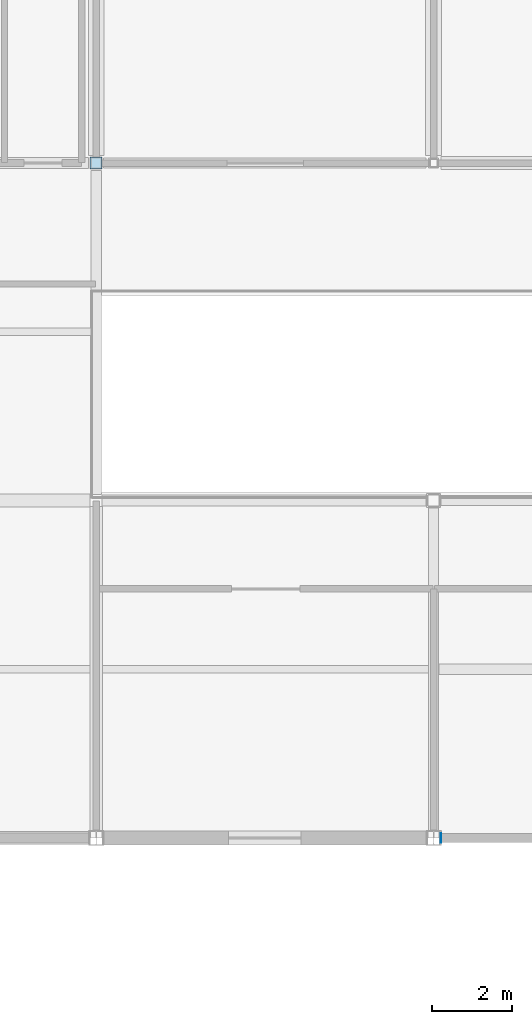
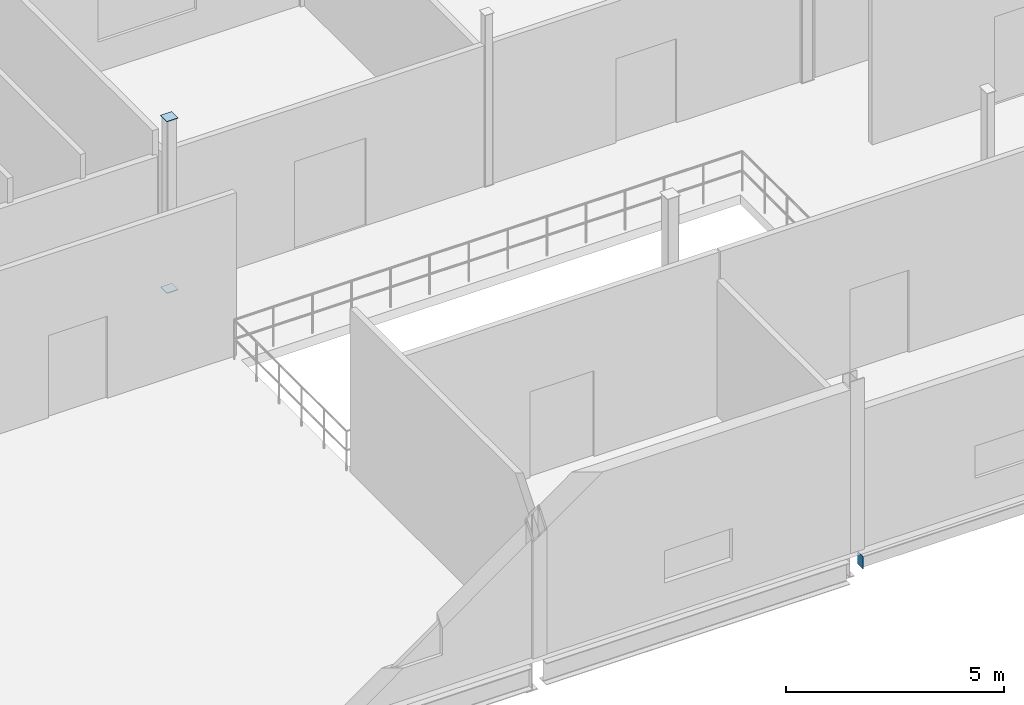
# One storey, part 21 of 45: 3 plates.
"""IFC4 building model written with IfcOpenShell, lengths in metres."""

import ifcopenshell
import ifcopenshell.guid

model = None  # the IFC model being written
_history = None  # IfcOwnerHistory: only IFC2X3 demands one
_inside = {}  # id of a spatial element -> (the spatial element, [elements in it])
_under = {}  # id of a project, library or spatial element -> (it, [spatial elements below it])
_declared = {}  # id of a project -> (the project, [libraries it declares])
_typed = {}  # id of a type object -> (the type object, [elements of that type])
_made_of = {}  # id of a material, layer set ... -> (it, [elements and type objects made of it])


def new_model(schema):
    """Start an empty IFC model of exactly this schema.

    Asked for "IFC4X3", IfcOpenShell would pick the latest addendum, in which some entities
    have other attributes; the version numbers below select the first issue.
    IFC2X3 requires an IfcOwnerHistory on every rooted entity: one is made here for all.
    """
    global model, _history
    if schema == "IFC4X3":
        model = ifcopenshell.file(schema_version=(4, 3, 0, 0))
    else:
        model = ifcopenshell.file(schema=schema)
    _inside.clear()
    _under.clear()
    _declared.clear()
    _typed.clear()
    _made_of.clear()
    _history = None
    if model.schema == "IFC2X3":
        org = make("IfcOrganization", Name="unknown")
        user = make(
            "IfcPersonAndOrganization",
            ThePerson=make("IfcPerson", FamilyName="unknown"),
            TheOrganization=org,
        )
        app = make(
            "IfcApplication",
            ApplicationDeveloper=org,
            Version="unknown",
            ApplicationFullName="unknown",
            ApplicationIdentifier="unknown",
        )
        _history = make(
            "IfcOwnerHistory",
            OwningUser=user,
            OwningApplication=app,
            ChangeAction="ADDED",
            CreationDate=0,
        )
    return model


def make(cls, **values):
    """One entity of the class cls with the attributes given. An attribute that is None is left unset."""
    return model.create_entity(
        cls, **{name: value for name, value in values.items() if value is not None}
    )


def rooted(cls, **values):
    """An entity with a GlobalId (a new one), such as an element, a storey or a relation."""
    return make(cls, GlobalId=ifcopenshell.guid.new(), OwnerHistory=_history, **values)


def si_unit(unit_type, name, prefix=None):
    """IfcSIUnit, for example si_unit("LENGTHUNIT", "METRE", prefix="MILLI")."""
    return make("IfcSIUnit", UnitType=unit_type, Prefix=prefix, Name=name)


def assignment(units):
    """IfcUnitAssignment: the units of a project."""
    return None if units is None else make("IfcUnitAssignment", Units=units)


def point(xyz):
    """IfcCartesianPoint."""
    return None if xyz is None else make("IfcCartesianPoint", Coordinates=xyz)


def direction(xyz):
    """IfcDirection."""
    return None if xyz is None else make("IfcDirection", DirectionRatios=xyz)


def frame(location, z_axis=None, x_axis=None):
    """IfcAxis2Placement3D, a coordinate frame: its origin and axes. An axis left out is left unset."""
    return make(
        "IfcAxis2Placement3D",
        Location=point(location),
        Axis=direction(z_axis),
        RefDirection=direction(x_axis),
    )


def frame_2d(location, x_axis=None):
    """IfcAxis2Placement2D, a coordinate frame in the plane: its origin and x axis."""
    return make(
        "IfcAxis2Placement2D", Location=point(location), RefDirection=direction(x_axis)
    )


def origin():
    """The frame at (0, 0, 0) with its axes left unset."""
    return frame((0.0, 0.0, 0.0))


def origin_2d():
    """The frame at (0, 0) in the plane with its x axis left unset."""
    return frame_2d((0.0, 0.0))


def place(relative_to, where):
    """IfcLocalPlacement: puts the frame where relative to a parent placement (None: the world)."""
    return make(
        "IfcLocalPlacement", PlacementRelTo=relative_to, RelativePlacement=where
    )


def context(
    kind, dimensions, precision=None, world=None, true_north=None, identifier=None
):
    """IfcGeometricRepresentationContext, for example the 3D "Model" context."""
    return make(
        "IfcGeometricRepresentationContext",
        ContextIdentifier=identifier,
        ContextType=kind,
        CoordinateSpaceDimension=dimensions,
        Precision=precision,
        WorldCoordinateSystem=world,
        TrueNorth=true_north,
    )


def subcontext(parent, identifier, kind, view, scale=None):
    """IfcGeometricRepresentationSubContext, for example "Body" below "Model"."""
    return make(
        "IfcGeometricRepresentationSubContext",
        ContextIdentifier=identifier,
        ContextType=kind,
        ParentContext=parent,
        TargetScale=scale,
        TargetView=view,
    )


def project(units=None, contexts=None):
    """IfcProject with its units and contexts."""
    return rooted(
        "IfcProject",
        Name="project",
        RepresentationContexts=contexts,
        UnitsInContext=assignment(units),
    )


def spatial(cls, under=None, at=None, **own):
    """A site, building, storey or space (cls), placed at a placement, below another one or the project."""
    s = rooted(cls, ObjectPlacement=at, **own)
    if under is not None:
        _under.setdefault(under.id(), (under, []))[1].append(s)
    return s


def profile(cls, at=None, kind="AREA", **sizes):
    """A parametric profile (cls). Its sizes go by their IFC names, for example OverallWidth=200.0."""
    return make(cls, ProfileType=kind, Position=at, **sizes)


def rectangle(**sizes):
    """IfcRectangleProfileDef."""
    return profile("IfcRectangleProfileDef", **sizes)


def extrude(swept, where, along, depth):
    """IfcExtrudedAreaSolid: the profile swept, set in the frame where, extruded along a direction by depth."""
    return make(
        "IfcExtrudedAreaSolid",
        SweptArea=swept,
        Position=where,
        ExtrudedDirection=direction(along),
        Depth=depth,
    )


def shape(context_of_items, identifier, shape_type, items):
    """IfcShapeRepresentation: the items that make up one representation, for example the "Body"."""
    return make(
        "IfcShapeRepresentation",
        ContextOfItems=context_of_items,
        RepresentationIdentifier=identifier,
        RepresentationType=shape_type,
        Items=items,
    )


def material(Name=None, Category=None):
    """IfcMaterial."""
    return make("IfcMaterial", Name=Name, Category=Category)


def layer(
    of_material, thickness, ventilated=None, Name=None, Category=None, Priority=None
):
    """IfcMaterialLayer: one layer of a wall or slab, of a material (None: an air gap)."""
    return make(
        "IfcMaterialLayer",
        Material=of_material,
        LayerThickness=thickness,
        IsVentilated=ventilated,
        Name=Name,
        Category=Category,
        Priority=Priority,
    )


def layer_set(layers, Name=None):
    """IfcMaterialLayerSet."""
    return make("IfcMaterialLayerSet", MaterialLayers=layers, LayerSetName=Name)


def made_of(thing, what):
    """Note that an element or type object is made of a material, layer set ...; save() writes the relation."""
    if what is not None:
        _made_of.setdefault(what.id(), (what, []))[1].append(thing)
    return thing


def type_object(cls, material=None, **own):
    """A type object (cls), such as IfcWallType, which elements share."""
    return made_of(rooted(cls, **own), material)


def element(
    cls,
    number,
    at=None,
    inside=None,
    cuts=None,
    type_object=None,
    material=None,
    context=None,
    identifier="Body",
    shape_type=None,
    held_by="IfcProductDefinitionShape",
    body=None,
    shapes=None,
    **own,
):
    """One element of the class cls, such as IfcWall. Its Tag is "e" and its number.

    at: its placement. inside: the storey or other place that contains it. cuts: it is an
    opening in that element (IfcRelVoidsElement). A single representation is given by context,
    identifier, shape_type and body (its items); several are given by shapes. held_by: the class
    of the entity that holds the representations. save() writes the other relations.
    """
    e = rooted(cls, Tag="e%d" % number, ObjectPlacement=at, **own)
    if body is not None:
        shapes = [shape(context, identifier, shape_type, body)]
    if shapes is not None:
        e.Representation = make(held_by, Representations=shapes)
    if inside is not None:
        _inside.setdefault(inside.id(), (inside, []))[1].append(e)
    if cuts is not None:
        rooted(
            "IfcRelVoidsElement", RelatingBuildingElement=cuts, RelatedOpeningElement=e
        )
    if type_object is not None:
        _typed.setdefault(type_object.id(), (type_object, []))[1].append(e)
    return made_of(e, material)


def aggregate(whole, parts):
    """IfcRelAggregates: a whole, such as a stair, and the parts it consists of."""
    return rooted("IfcRelAggregates", RelatingObject=whole, RelatedObjects=parts)


def save(model, path):
    """Write the relations noted so far, then the file.

    IfcRelAggregates (storeys below a building ...), IfcRelContainedInSpatialStructure (elements
    in a storey), IfcRelDefinesByType, IfcRelAssociatesMaterial and IfcRelDeclares: one each for
    every whole, place, type object, material and project.
    """
    for whole, parts in _under.values():
        aggregate(whole, parts)
    for where, things in _inside.values():
        rooted(
            "IfcRelContainedInSpatialStructure",
            RelatedElements=things,
            RelatingStructure=where,
        )
    for kind, things in _typed.values():
        rooted("IfcRelDefinesByType", RelatedObjects=things, RelatingType=kind)
    for what, things in _made_of.values():
        rooted("IfcRelAssociatesMaterial", RelatedObjects=things, RelatingMaterial=what)
    for by, libraries in _declared.values():
        rooted("IfcRelDeclares", RelatingContext=by, RelatedDefinitions=libraries)
    model.write(path)


model = new_model("IFC4")

# Units and contexts
model_context = context("Model", 3, precision=1e-05, world=origin(), true_north=direction((0.0, 1.0)))
body_context = subcontext(model_context, "Body", "Model", "MODEL_VIEW")
ifc_project = project(units=[si_unit("LENGTHUNIT", "METRE"), si_unit("AREAUNIT", "SQUARE_METRE"), si_unit("VOLUMEUNIT", "CUBIC_METRE"), si_unit("PLANEANGLEUNIT", "RADIAN"), si_unit("MASSUNIT", "GRAM", prefix="KILO")], contexts=[model_context])

# Site, building, storey
site_placement = place(None, origin())
site = spatial("IfcSite", under=ifc_project, at=site_placement, CompositionType="ELEMENT")
building_placement = place(site_placement, origin())
building = spatial("IfcBuilding", under=site, at=building_placement, Name="Calvrana Isthmian Art Gallery", CompositionType="ELEMENT")
storey_placement = place(building_placement, frame((0.0, 0.0, 19.800048828125)))
storey = spatial("IfcBuildingStorey", under=building, at=storey_placement, Name="L04", CompositionType="ELEMENT", Elevation=19.800048828125)

# Plates
ifc_material = material(Name="Steel ASTM A572 Gr 50", Category="steel")
ifc_layer = layer(ifc_material, 0.01611328125, Name="Steel ASTM A572 Gr 50")
ifc_layer_set = layer_set([ifc_layer], Name="Steel ASTM A572 Gr 50")
plate_type = type_object("IfcPlateType", Name="PL-CAP-16", PredefinedType="SHEET", material=ifc_layer_set)
for number, where, z_axis, x_axis, name in (
    (1, (46.800048828125, 38.39990234375, -0.008056640625), (0.0, 0.0, 1.0), (1.0, 0.0, 0.0), "Hollow section end cap plate 089"),
    (2, (46.800048828125, 38.39990234375, 4.7919921875), (0.0, 0.0, 1.0), (1.0, 0.0, 0.0), "Hollow section end cap plate 090"),
):
    element("IfcPlate", number, at=place(storey_placement, frame(where, z_axis=z_axis, x_axis=x_axis)), inside=storey, type_object=plate_type, Name=name, PredefinedType="SHEET", context=body_context, shape_type="SweptSolid", body=[
        extrude(rectangle(XDim=0.2939453125, YDim=0.2939453125, at=origin_2d()), origin(), (0.0, 0.0, 1.0), 0.01611328125),
    ])
plate_placement = place(storey_placement, frame((55.384033203125, 21.60009765625, -0.58984375), z_axis=(0.0, 0.0, 1.0), x_axis=(1.0, 0.0, 0.0)))
element("IfcPlate", 3, at=plate_placement, inside=storey, type_object=plate_type, Name="Hollow section end cap plate 487", PredefinedType="SHEET", context=body_context, shape_type="SweptSolid", body=[
    extrude(rectangle(XDim=0.01611328125, YDim=0.2431640625, at=origin_2d()), origin(), (0.0, 0.0, 1.0), 0.3447265625),
])

save(model, "model.ifc")
